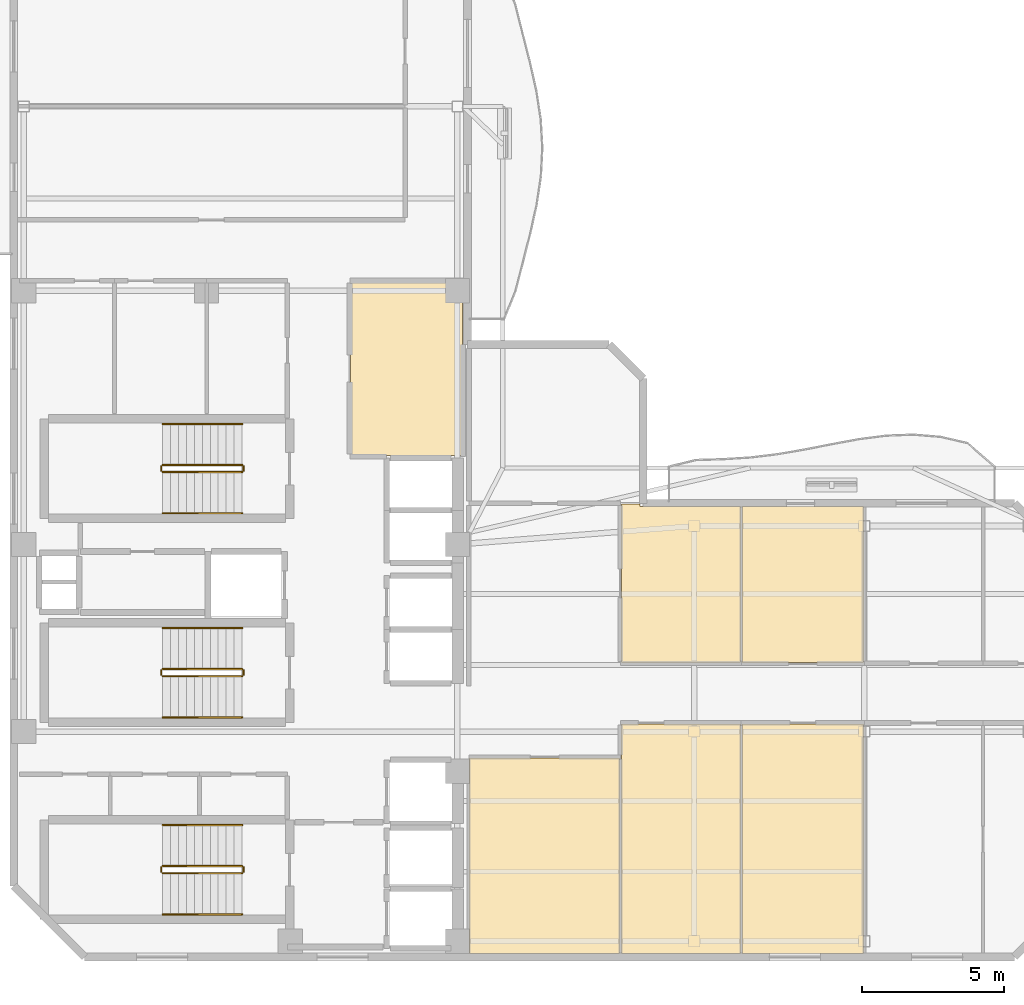
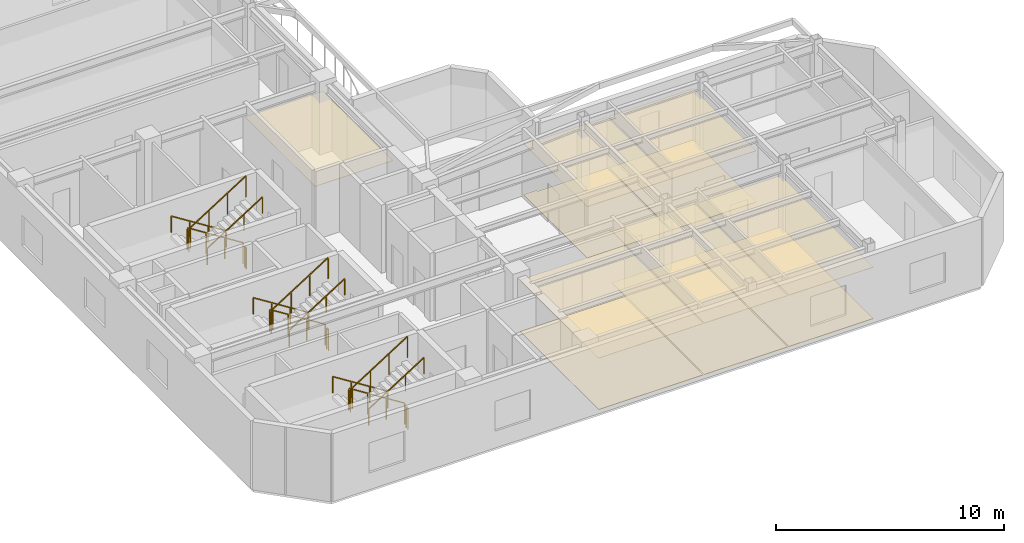
# One storey, part 6 of 7: 18 railings, 11 coverings.
"""IFC4 building model written with IfcOpenShell, lengths in metres."""

import ifcopenshell
import ifcopenshell.guid

model = None  # the IFC model being written
_history = None  # IfcOwnerHistory: only IFC2X3 demands one
_inside = {}  # id of a spatial element -> (the spatial element, [elements in it])
_under = {}  # id of a project, library or spatial element -> (it, [spatial elements below it])
_declared = {}  # id of a project -> (the project, [libraries it declares])
_typed = {}  # id of a type object -> (the type object, [elements of that type])
_made_of = {}  # id of a material, layer set ... -> (it, [elements and type objects made of it])


def new_model(schema):
    """Start an empty IFC model of exactly this schema.

    Asked for "IFC4X3", IfcOpenShell would pick the latest addendum, in which some entities
    have other attributes; the version numbers below select the first issue.
    IFC2X3 requires an IfcOwnerHistory on every rooted entity: one is made here for all.
    """
    global model, _history
    if schema == "IFC4X3":
        model = ifcopenshell.file(schema_version=(4, 3, 0, 0))
    else:
        model = ifcopenshell.file(schema=schema)
    _inside.clear()
    _under.clear()
    _declared.clear()
    _typed.clear()
    _made_of.clear()
    _history = None
    if model.schema == "IFC2X3":
        org = make("IfcOrganization", Name="unknown")
        user = make(
            "IfcPersonAndOrganization",
            ThePerson=make("IfcPerson", FamilyName="unknown"),
            TheOrganization=org,
        )
        app = make(
            "IfcApplication",
            ApplicationDeveloper=org,
            Version="unknown",
            ApplicationFullName="unknown",
            ApplicationIdentifier="unknown",
        )
        _history = make(
            "IfcOwnerHistory",
            OwningUser=user,
            OwningApplication=app,
            ChangeAction="ADDED",
            CreationDate=0,
        )
    return model


def make(cls, **values):
    """One entity of the class cls with the attributes given. An attribute that is None is left unset."""
    return model.create_entity(
        cls, **{name: value for name, value in values.items() if value is not None}
    )


def rooted(cls, **values):
    """An entity with a GlobalId (a new one), such as an element, a storey or a relation."""
    return make(cls, GlobalId=ifcopenshell.guid.new(), OwnerHistory=_history, **values)


def si_unit(unit_type, name, prefix=None):
    """IfcSIUnit, for example si_unit("LENGTHUNIT", "METRE", prefix="MILLI")."""
    return make("IfcSIUnit", UnitType=unit_type, Prefix=prefix, Name=name)


def assignment(units):
    """IfcUnitAssignment: the units of a project."""
    return None if units is None else make("IfcUnitAssignment", Units=units)


def point(xyz):
    """IfcCartesianPoint."""
    return None if xyz is None else make("IfcCartesianPoint", Coordinates=xyz)


def direction(xyz):
    """IfcDirection."""
    return None if xyz is None else make("IfcDirection", DirectionRatios=xyz)


def frame(location, z_axis=None, x_axis=None):
    """IfcAxis2Placement3D, a coordinate frame: its origin and axes. An axis left out is left unset."""
    return make(
        "IfcAxis2Placement3D",
        Location=point(location),
        Axis=direction(z_axis),
        RefDirection=direction(x_axis),
    )


def frame_2d(location, x_axis=None):
    """IfcAxis2Placement2D, a coordinate frame in the plane: its origin and x axis."""
    return make(
        "IfcAxis2Placement2D", Location=point(location), RefDirection=direction(x_axis)
    )


def origin():
    """The frame at (0, 0, 0) with its axes left unset."""
    return frame((0.0, 0.0, 0.0))


def origin_2d():
    """The frame at (0, 0) in the plane with its x axis left unset."""
    return frame_2d((0.0, 0.0))


def place(relative_to, where):
    """IfcLocalPlacement: puts the frame where relative to a parent placement (None: the world)."""
    return make(
        "IfcLocalPlacement", PlacementRelTo=relative_to, RelativePlacement=where
    )


def context(
    kind, dimensions, precision=None, world=None, true_north=None, identifier=None
):
    """IfcGeometricRepresentationContext, for example the 3D "Model" context."""
    return make(
        "IfcGeometricRepresentationContext",
        ContextIdentifier=identifier,
        ContextType=kind,
        CoordinateSpaceDimension=dimensions,
        Precision=precision,
        WorldCoordinateSystem=world,
        TrueNorth=true_north,
    )


def subcontext(parent, identifier, kind, view, scale=None):
    """IfcGeometricRepresentationSubContext, for example "Body" below "Model"."""
    return make(
        "IfcGeometricRepresentationSubContext",
        ContextIdentifier=identifier,
        ContextType=kind,
        ParentContext=parent,
        TargetScale=scale,
        TargetView=view,
    )


def project(units=None, contexts=None):
    """IfcProject with its units and contexts."""
    return rooted(
        "IfcProject",
        Name="project",
        RepresentationContexts=contexts,
        UnitsInContext=assignment(units),
    )


def spatial(cls, under=None, at=None, **own):
    """A site, building, storey or space (cls), placed at a placement, below another one or the project."""
    s = rooted(cls, ObjectPlacement=at, **own)
    if under is not None:
        _under.setdefault(under.id(), (under, []))[1].append(s)
    return s


def polyline(points):
    """IfcPolyline through the points."""
    return make("IfcPolyline", Points=[point(p) for p in points])


def profile(cls, at=None, kind="AREA", **sizes):
    """A parametric profile (cls). Its sizes go by their IFC names, for example OverallWidth=200.0."""
    return make(cls, ProfileType=kind, Position=at, **sizes)


def rectangle(**sizes):
    """IfcRectangleProfileDef."""
    return profile("IfcRectangleProfileDef", **sizes)


def outline(outer, holes=None, kind="AREA"):
    """IfcArbitraryClosedProfileDef: a profile drawn as a closed curve; with holes, ...WithVoids."""
    if holes is None:
        return make("IfcArbitraryClosedProfileDef", ProfileType=kind, OuterCurve=outer)
    return make(
        "IfcArbitraryProfileDefWithVoids",
        ProfileType=kind,
        OuterCurve=outer,
        InnerCurves=holes,
    )


def extrude(swept, where, along, depth):
    """IfcExtrudedAreaSolid: the profile swept, set in the frame where, extruded along a direction by depth."""
    return make(
        "IfcExtrudedAreaSolid",
        SweptArea=swept,
        Position=where,
        ExtrudedDirection=direction(along),
        Depth=depth,
    )


def shape(context_of_items, identifier, shape_type, items):
    """IfcShapeRepresentation: the items that make up one representation, for example the "Body"."""
    return make(
        "IfcShapeRepresentation",
        ContextOfItems=context_of_items,
        RepresentationIdentifier=identifier,
        RepresentationType=shape_type,
        Items=items,
    )


def material(Name=None, Category=None):
    """IfcMaterial."""
    return make("IfcMaterial", Name=Name, Category=Category)


def layer(
    of_material, thickness, ventilated=None, Name=None, Category=None, Priority=None
):
    """IfcMaterialLayer: one layer of a wall or slab, of a material (None: an air gap)."""
    return make(
        "IfcMaterialLayer",
        Material=of_material,
        LayerThickness=thickness,
        IsVentilated=ventilated,
        Name=Name,
        Category=Category,
        Priority=Priority,
    )


def layer_set(layers, Name=None):
    """IfcMaterialLayerSet."""
    return make("IfcMaterialLayerSet", MaterialLayers=layers, LayerSetName=Name)


def made_of(thing, what):
    """Note that an element or type object is made of a material, layer set ...; save() writes the relation."""
    if what is not None:
        _made_of.setdefault(what.id(), (what, []))[1].append(thing)
    return thing


def type_object(cls, material=None, **own):
    """A type object (cls), such as IfcWallType, which elements share."""
    return made_of(rooted(cls, **own), material)


def element(
    cls,
    number,
    at=None,
    inside=None,
    cuts=None,
    type_object=None,
    material=None,
    context=None,
    identifier="Body",
    shape_type=None,
    held_by="IfcProductDefinitionShape",
    body=None,
    shapes=None,
    **own,
):
    """One element of the class cls, such as IfcWall. Its Tag is "e" and its number.

    at: its placement. inside: the storey or other place that contains it. cuts: it is an
    opening in that element (IfcRelVoidsElement). A single representation is given by context,
    identifier, shape_type and body (its items); several are given by shapes. held_by: the class
    of the entity that holds the representations. save() writes the other relations.
    """
    e = rooted(cls, Tag="e%d" % number, ObjectPlacement=at, **own)
    if body is not None:
        shapes = [shape(context, identifier, shape_type, body)]
    if shapes is not None:
        e.Representation = make(held_by, Representations=shapes)
    if inside is not None:
        _inside.setdefault(inside.id(), (inside, []))[1].append(e)
    if cuts is not None:
        rooted(
            "IfcRelVoidsElement", RelatingBuildingElement=cuts, RelatedOpeningElement=e
        )
    if type_object is not None:
        _typed.setdefault(type_object.id(), (type_object, []))[1].append(e)
    return made_of(e, material)


def aggregate(whole, parts):
    """IfcRelAggregates: a whole, such as a stair, and the parts it consists of."""
    return rooted("IfcRelAggregates", RelatingObject=whole, RelatedObjects=parts)


def save(model, path):
    """Write the relations noted so far, then the file.

    IfcRelAggregates (storeys below a building ...), IfcRelContainedInSpatialStructure (elements
    in a storey), IfcRelDefinesByType, IfcRelAssociatesMaterial and IfcRelDeclares: one each for
    every whole, place, type object, material and project.
    """
    for whole, parts in _under.values():
        aggregate(whole, parts)
    for where, things in _inside.values():
        rooted(
            "IfcRelContainedInSpatialStructure",
            RelatedElements=things,
            RelatingStructure=where,
        )
    for kind, things in _typed.values():
        rooted("IfcRelDefinesByType", RelatedObjects=things, RelatingType=kind)
    for what, things in _made_of.values():
        rooted("IfcRelAssociatesMaterial", RelatedObjects=things, RelatingMaterial=what)
    for by, libraries in _declared.values():
        rooted("IfcRelDeclares", RelatingContext=by, RelatedDefinitions=libraries)
    model.write(path)


model = new_model("IFC4")

# Units and contexts
model_context = context("Model", 3, precision=1e-05, world=origin(), true_north=direction((0.0, 1.0)))
body_context = subcontext(model_context, "Body", "Model", "MODEL_VIEW")
ifc_project = project(units=[si_unit("LENGTHUNIT", "METRE"), si_unit("AREAUNIT", "SQUARE_METRE"), si_unit("VOLUMEUNIT", "CUBIC_METRE"), si_unit("PLANEANGLEUNIT", "RADIAN"), si_unit("MASSUNIT", "GRAM", prefix="KILO")], contexts=[model_context])

# Site, building, storey
site_placement = place(None, origin())
site = spatial("IfcSite", under=ifc_project, at=site_placement, CompositionType="ELEMENT")
building_placement = place(site_placement, origin())
building = spatial("IfcBuilding", under=site, at=building_placement, Name="Mawjaban Terraces University", CompositionType="ELEMENT")
storey_placement = place(building_placement, frame((0.0, 0.0, 302.800048828125)))
storey = spatial("IfcBuildingStorey", under=building, at=storey_placement, Name="L74", CompositionType="ELEMENT", Elevation=302.800048828125)

# Coverings
ifc_material_1 = material(Name="Acoustic mineral fibre ceiling tile", Category="masonry")
ifc_layer_1 = layer(ifc_material_1, 0.02001953125)
ifc_layer_set_1 = layer_set([ifc_layer_1], Name="Acoustic mineral fibre ceiling tile")
covering_type_1 = type_object("IfcCoveringType", Name="AcousticMineralCeiling_20", PredefinedType="CEILING", material=ifc_layer_set_1)
covering_1_placement = place(storey_placement, frame((0.0, 0.0, 2.75)))
element("IfcCovering", 1, at=covering_1_placement, inside=storey, type_object=covering_type_1, Name="L74 Graduate Research Collaboration Studio Acoustic Ceiling", PredefinedType="CEILING", context=body_context, shape_type="SweptSolid", body=[
    extrude(outline(polyline([(37.820068359375, 17.679931640625), (37.820068359375, 23.820068359375), (33.8798828125, 23.820068359375), (33.8798828125, 17.679931640625), (37.820068359375, 17.679931640625)])), origin(), (0.0, 0.0, 1.0), 0.02001953125),
])
covering_2_placement = place(storey_placement, frame((0.0, 0.0, 2.75)))
element("IfcCovering", 2, at=covering_2_placement, inside=storey, type_object=covering_type_1, Name="L74 Tutorial Room 1 Acoustic Ceiling", PredefinedType="CEILING", context=body_context, shape_type="SweptSolid", body=[
    extrude(outline(polyline([(38.080078125, 7.02001953125), (38.080078125, 0.114990234375), (43.3701171875, 0.114990234375), (43.3701171875, 7.02001953125), (38.080078125, 7.02001953125)])), origin(), (0.0, 0.0, 1.0), 0.02001953125),
])
covering_3_placement = place(storey_placement, frame((0.0, 0.0, 2.75)))
element("IfcCovering", 3, at=covering_3_placement, inside=storey, type_object=covering_type_1, Name="L74 Conference Room 2 Acoustic Ceiling", PredefinedType="CEILING", context=body_context, shape_type="SweptSolid", body=[
    extrude(outline(polyline([(43.429931640625, 0.114990234375), (47.634033203125, 0.114990234375), (47.634033203125, 8.219970703125), (43.429931640625, 8.219970703125), (43.429931640625, 0.114990234375)])), origin(), (0.0, 0.0, 1.0), 0.02001953125),
])
covering_4_placement = place(storey_placement, frame((0.0, 0.0, 2.75)))
element("IfcCovering", 4, at=covering_4_placement, inside=storey, type_object=covering_type_1, Name="L74 Classroom 3 Acoustic Ceiling", PredefinedType="CEILING", context=body_context, shape_type="SweptSolid", body=[
    extrude(outline(polyline([(47.634033203125, 15.885009765625), (44.0849609375, 15.885009765625), (44.0849609375, 15.969970703125), (43.429931640625, 15.969970703125), (43.429931640625, 10.3798828125), (47.634033203125, 10.3798828125), (47.634033203125, 15.885009765625)])), origin(), (0.0, 0.0, 1.0), 0.02001953125),
])
covering_5_placement = place(storey_placement, frame((0.0, 0.0, 2.75)))
element("IfcCovering", 5, at=covering_5_placement, inside=storey, type_object=covering_type_1, Name="L74 Seminar Room 4 Acoustic Ceiling", PredefinedType="CEILING", context=body_context, shape_type="SweptSolid", body=[
    extrude(outline(polyline([(47.694091796875, 0.114990234375), (51.969970703125, 0.114990234375), (51.969970703125, 8.219970703125), (47.694091796875, 8.219970703125), (47.694091796875, 0.114990234375)])), origin(), (0.0, 0.0, 1.0), 0.02001953125),
])
covering_6_placement = place(storey_placement, frame((0.0, 0.0, 2.75)))
element("IfcCovering", 6, at=covering_6_placement, inside=storey, type_object=covering_type_1, Name="L74 Tutorial Room 5 Acoustic Ceiling", PredefinedType="CEILING", context=body_context, shape_type="SweptSolid", body=[
    extrude(outline(polyline([(51.969970703125, 15.885009765625), (47.694091796875, 15.885009765625), (47.694091796875, 10.3798828125), (51.969970703125, 10.3798828125), (51.969970703125, 15.885009765625)])), origin(), (0.0, 0.0, 1.0), 0.02001953125),
])

# Railings
ifc_material_2 = material(Name="Brushed stainless steel 316", Category="steel")
railing_type_1 = type_object("IfcRailingType", Name="StairWallHandrail_900", PredefinedType="HANDRAIL", material=ifc_material_2)
railing_1_placement = place(storey_placement, frame((30.050048828125, 4.64990234375, 0.17724609375)))
element("IfcRailing", 7, at=railing_1_placement, inside=storey, type_object=railing_type_1, Name="L74 ST-1 stair handrail 1", PredefinedType="HANDRAIL", context=body_context, shape_type="SweptSolid", body=[
    extrude(rectangle(XDim=0.048095703125, YDim=0.048095703125, at=origin_2d()), frame((0.0, 0.0, 0.8759765625), z_axis=(-0.844908973607, 0.0, 0.534910110503), x_axis=(0.0, -1.0, 0.0)), (0.0, 0.0, 1.0), 3.31396484375),
    extrude(rectangle(XDim=0.0419921875, YDim=0.0419921875, at=origin_2d()), origin(), (0.0, 0.0, 1.0), 0.851806640625),
    extrude(rectangle(XDim=0.0419921875, YDim=0.0419921875, at=origin_2d()), frame((-0.933349609375, 0.0, 0.5908203125)), (0.0, 0.0, 1.0), 0.851806640625),
    extrude(rectangle(XDim=0.0419921875, YDim=0.0419921875, at=origin_2d()), frame((-1.86669921875, 0.0, 1.181884765625)), (0.0, 0.0, 1.0), 0.851806640625),
    extrude(rectangle(XDim=0.0419921875, YDim=0.0419921875, at=origin_2d()), frame((-2.800048828125, 0.0, 1.772705078125)), (0.0, 0.0, 1.0), 0.851806640625),
])
railing_2_placement = place(storey_placement, frame((27.25, 1.5, 2.127197265625)))
element("IfcRailing", 8, at=railing_2_placement, inside=storey, type_object=railing_type_1, Name="L74 ST-1 stair handrail 2", PredefinedType="HANDRAIL", context=body_context, shape_type="SweptSolid", body=[
    extrude(rectangle(XDim=0.048095703125, YDim=0.048095703125, at=origin_2d()), frame((0.0, 0.0, 0.8759765625), z_axis=(0.844908973607, 0.0, 0.534910110503), x_axis=(0.0, 1.0, 0.0)), (0.0, 0.0, 1.0), 3.31396484375),
    extrude(rectangle(XDim=0.0419921875, YDim=0.0419921875, at=origin_2d()), origin(), (0.0, 0.0, 1.0), 0.851806640625),
    extrude(rectangle(XDim=0.0419921875, YDim=0.0419921875, at=origin_2d()), frame((0.933349609375, 0.0, 0.5908203125)), (0.0, 0.0, 1.0), 0.851806640625),
    extrude(rectangle(XDim=0.0419921875, YDim=0.0419921875, at=origin_2d()), frame((1.86669921875, 0.0, 1.181884765625)), (0.0, 0.0, 1.0), 0.851806640625),
    extrude(rectangle(XDim=0.0419921875, YDim=0.0419921875, at=origin_2d()), frame((2.800048828125, 0.0, 1.772705078125)), (0.0, 0.0, 1.0), 0.851806640625),
])
railing_3_placement = place(storey_placement, frame((30.050048828125, 18.800048828125, 0.17724609375)))
element("IfcRailing", 9, at=railing_3_placement, inside=storey, type_object=railing_type_1, Name="L74 ST-2 stair handrail 1", PredefinedType="HANDRAIL", context=body_context, shape_type="SweptSolid", body=[
    extrude(rectangle(XDim=0.048095703125, YDim=0.048095703125, at=origin_2d()), frame((0.0, 0.0, 0.8759765625), z_axis=(-0.844908973607, 0.0, 0.534910110503), x_axis=(0.0, -1.0, 0.0)), (0.0, 0.0, 1.0), 3.31396484375),
    extrude(rectangle(XDim=0.0419921875, YDim=0.0419921875, at=origin_2d()), origin(), (0.0, 0.0, 1.0), 0.851806640625),
    extrude(rectangle(XDim=0.0419921875, YDim=0.0419921875, at=origin_2d()), frame((-0.933349609375, 0.0, 0.5908203125)), (0.0, 0.0, 1.0), 0.851806640625),
    extrude(rectangle(XDim=0.0419921875, YDim=0.0419921875, at=origin_2d()), frame((-1.86669921875, 0.0, 1.181884765625)), (0.0, 0.0, 1.0), 0.851806640625),
    extrude(rectangle(XDim=0.0419921875, YDim=0.0419921875, at=origin_2d()), frame((-2.800048828125, 0.0, 1.772705078125)), (0.0, 0.0, 1.0), 0.851806640625),
])
railing_4_placement = place(storey_placement, frame((27.25, 15.64990234375, 2.127197265625)))
element("IfcRailing", 10, at=railing_4_placement, inside=storey, type_object=railing_type_1, Name="L74 ST-2 stair handrail 2", PredefinedType="HANDRAIL", context=body_context, shape_type="SweptSolid", body=[
    extrude(rectangle(XDim=0.048095703125, YDim=0.048095703125, at=origin_2d()), frame((0.0, 0.0, 0.8759765625), z_axis=(0.844908973607, 0.0, 0.534910110503), x_axis=(0.0, 1.0, 0.0)), (0.0, 0.0, 1.0), 3.31396484375),
    extrude(rectangle(XDim=0.0419921875, YDim=0.0419921875, at=origin_2d()), origin(), (0.0, 0.0, 1.0), 0.851806640625),
    extrude(rectangle(XDim=0.0419921875, YDim=0.0419921875, at=origin_2d()), frame((0.933349609375, 0.0, 0.5908203125)), (0.0, 0.0, 1.0), 0.851806640625),
    extrude(rectangle(XDim=0.0419921875, YDim=0.0419921875, at=origin_2d()), frame((1.86669921875, 0.0, 1.181884765625)), (0.0, 0.0, 1.0), 0.851806640625),
    extrude(rectangle(XDim=0.0419921875, YDim=0.0419921875, at=origin_2d()), frame((2.800048828125, 0.0, 1.772705078125)), (0.0, 0.0, 1.0), 0.851806640625),
])
railing_5_placement = place(storey_placement, frame((30.050048828125, 11.60009765625, 0.17724609375)))
element("IfcRailing", 11, at=railing_5_placement, inside=storey, type_object=railing_type_1, Name="L74 ST-3 stair handrail 1", PredefinedType="HANDRAIL", context=body_context, shape_type="SweptSolid", body=[
    extrude(rectangle(XDim=0.048095703125, YDim=0.048095703125, at=origin_2d()), frame((0.0, 0.0, 0.8759765625), z_axis=(-0.844908973607, 0.0, 0.534910110503), x_axis=(0.0, -1.0, 0.0)), (0.0, 0.0, 1.0), 3.31396484375),
    extrude(rectangle(XDim=0.0419921875, YDim=0.0419921875, at=origin_2d()), origin(), (0.0, 0.0, 1.0), 0.851806640625),
    extrude(rectangle(XDim=0.0419921875, YDim=0.0419921875, at=origin_2d()), frame((-0.933349609375, 0.0, 0.5908203125)), (0.0, 0.0, 1.0), 0.851806640625),
    extrude(rectangle(XDim=0.0419921875, YDim=0.0419921875, at=origin_2d()), frame((-1.86669921875, 0.0, 1.181884765625)), (0.0, 0.0, 1.0), 0.851806640625),
    extrude(rectangle(XDim=0.0419921875, YDim=0.0419921875, at=origin_2d()), frame((-2.800048828125, 0.0, 1.772705078125)), (0.0, 0.0, 1.0), 0.851806640625),
])
railing_6_placement = place(storey_placement, frame((27.25, 8.449951171875, 2.127197265625)))
element("IfcRailing", 12, at=railing_6_placement, inside=storey, type_object=railing_type_1, Name="L74 ST-3 stair handrail 2", PredefinedType="HANDRAIL", context=body_context, shape_type="SweptSolid", body=[
    extrude(rectangle(XDim=0.048095703125, YDim=0.048095703125, at=origin_2d()), frame((0.0, 0.0, 0.8759765625), z_axis=(0.844908973607, 0.0, 0.534910110503), x_axis=(0.0, 1.0, 0.0)), (0.0, 0.0, 1.0), 3.31396484375),
    extrude(rectangle(XDim=0.0419921875, YDim=0.0419921875, at=origin_2d()), origin(), (0.0, 0.0, 1.0), 0.851806640625),
    extrude(rectangle(XDim=0.0419921875, YDim=0.0419921875, at=origin_2d()), frame((0.933349609375, 0.0, 0.5908203125)), (0.0, 0.0, 1.0), 0.851806640625),
    extrude(rectangle(XDim=0.0419921875, YDim=0.0419921875, at=origin_2d()), frame((1.86669921875, 0.0, 1.181884765625)), (0.0, 0.0, 1.0), 0.851806640625),
    extrude(rectangle(XDim=0.0419921875, YDim=0.0419921875, at=origin_2d()), frame((2.800048828125, 0.0, 1.772705078125)), (0.0, 0.0, 1.0), 0.851806640625),
])
ifc_material_3 = material(Name="Galvanised painted steel S355", Category="steel")
railing_type_2 = type_object("IfcRailingType", Name="StairWellGuard_1150", PredefinedType="BALUSTRADE", material=ifc_material_3)
railing_7_placement = place(storey_placement, frame((30.050048828125, 3.199951171875, 0.17724609375)))
element("IfcRailing", 13, at=railing_7_placement, inside=storey, type_object=railing_type_2, Name="L74 ST-1 stair guard 1", PredefinedType="BALUSTRADE", context=body_context, shape_type="SweptSolid", body=[
    extrude(rectangle(XDim=0.048095703125, YDim=0.048095703125, at=origin_2d()), frame((0.0, 0.0, 1.1259765625), z_axis=(-0.844908973607, 0.0, 0.534910110503), x_axis=(0.0, -1.0, 0.0)), (0.0, 0.0, 1.0), 3.31396484375),
    extrude(rectangle(XDim=0.0419921875, YDim=0.0419921875, at=origin_2d()), origin(), (0.0, 0.0, 1.0), 1.101806640625),
    extrude(rectangle(XDim=0.0419921875, YDim=0.0419921875, at=origin_2d()), frame((-0.933349609375, 0.0, 0.5908203125)), (0.0, 0.0, 1.0), 1.101806640625),
    extrude(rectangle(XDim=0.0419921875, YDim=0.0419921875, at=origin_2d()), frame((-1.86669921875, 0.0, 1.181884765625)), (0.0, 0.0, 1.0), 1.101806640625),
    extrude(rectangle(XDim=0.0419921875, YDim=0.0419921875, at=origin_2d()), frame((-2.800048828125, 0.0, 1.772705078125)), (0.0, 0.0, 1.0), 1.101806640625),
])
railing_8_placement = place(storey_placement, frame((27.199951171875, 3.14990234375, 1.949951171875)))
element("IfcRailing", 14, at=railing_8_placement, inside=storey, type_object=railing_type_2, Name="L74 ST-1 stair guard 2", PredefinedType="BALUSTRADE", context=body_context, shape_type="SweptSolid", body=[
    extrude(rectangle(XDim=0.048095703125, YDim=0.048095703125, at=origin_2d()), frame((0.0, 0.0, 1.1259765625), z_axis=(0.0, -1.0, 0.0), x_axis=(1.0, 0.0, 0.0)), (0.0, 0.0, 1.0), 0.14990234375),
    extrude(rectangle(XDim=0.0419921875, YDim=0.0419921875, at=origin_2d()), origin(), (0.0, 0.0, 1.0), 1.101806640625),
    extrude(rectangle(XDim=0.0419921875, YDim=0.0419921875, at=origin_2d()), frame((0.0, -0.14990234375, 0.0)), (0.0, 0.0, 1.0), 1.101806640625),
])
railing_9_placement = place(storey_placement, frame((27.25, 2.949951171875, 2.127197265625)))
element("IfcRailing", 15, at=railing_9_placement, inside=storey, type_object=railing_type_2, Name="L74 ST-1 stair guard 3", PredefinedType="BALUSTRADE", context=body_context, shape_type="SweptSolid", body=[
    extrude(rectangle(XDim=0.048095703125, YDim=0.048095703125, at=origin_2d()), frame((0.0, 0.0, 1.1259765625), z_axis=(0.844908973607, 0.0, 0.534910110503), x_axis=(0.0, 1.0, 0.0)), (0.0, 0.0, 1.0), 3.31396484375),
    extrude(rectangle(XDim=0.0419921875, YDim=0.0419921875, at=origin_2d()), origin(), (0.0, 0.0, 1.0), 1.101806640625),
    extrude(rectangle(XDim=0.0419921875, YDim=0.0419921875, at=origin_2d()), frame((0.933349609375, 0.0, 0.5908203125)), (0.0, 0.0, 1.0), 1.101806640625),
    extrude(rectangle(XDim=0.0419921875, YDim=0.0419921875, at=origin_2d()), frame((1.86669921875, 0.0, 1.181884765625)), (0.0, 0.0, 1.0), 1.101806640625),
    extrude(rectangle(XDim=0.0419921875, YDim=0.0419921875, at=origin_2d()), frame((2.800048828125, 0.0, 1.772705078125)), (0.0, 0.0, 1.0), 1.101806640625),
])
railing_10_placement = place(storey_placement, frame((30.10009765625, 3.14990234375, 0.0)))
element("IfcRailing", 16, at=railing_10_placement, inside=storey, type_object=railing_type_2, Name="L74 ST-1 stair guard 4", PredefinedType="BALUSTRADE", context=body_context, shape_type="SweptSolid", body=[
    extrude(rectangle(XDim=0.048095703125, YDim=0.048095703125, at=origin_2d()), frame((0.0, 0.0, 1.1259765625), z_axis=(0.0, -1.0, 0.0), x_axis=(1.0, 0.0, 0.0)), (0.0, 0.0, 1.0), 0.14990234375),
    extrude(rectangle(XDim=0.0419921875, YDim=0.0419921875, at=origin_2d()), origin(), (0.0, 0.0, 1.0), 1.101806640625),
    extrude(rectangle(XDim=0.0419921875, YDim=0.0419921875, at=origin_2d()), frame((0.0, -0.14990234375, 0.0)), (0.0, 0.0, 1.0), 1.101806640625),
])
railing_11_placement = place(storey_placement, frame((30.050048828125, 17.35009765625, 0.17724609375)))
element("IfcRailing", 17, at=railing_11_placement, inside=storey, type_object=railing_type_2, Name="L74 ST-2 stair guard 1", PredefinedType="BALUSTRADE", context=body_context, shape_type="SweptSolid", body=[
    extrude(rectangle(XDim=0.048095703125, YDim=0.048095703125, at=origin_2d()), frame((0.0, 0.0, 1.1259765625), z_axis=(-0.844908973607, 0.0, 0.534910110503), x_axis=(0.0, -1.0, 0.0)), (0.0, 0.0, 1.0), 3.31396484375),
    extrude(rectangle(XDim=0.0419921875, YDim=0.0419921875, at=origin_2d()), origin(), (0.0, 0.0, 1.0), 1.101806640625),
    extrude(rectangle(XDim=0.0419921875, YDim=0.0419921875, at=origin_2d()), frame((-0.933349609375, 0.0, 0.5908203125)), (0.0, 0.0, 1.0), 1.101806640625),
    extrude(rectangle(XDim=0.0419921875, YDim=0.0419921875, at=origin_2d()), frame((-1.86669921875, 0.0, 1.181884765625)), (0.0, 0.0, 1.0), 1.101806640625),
    extrude(rectangle(XDim=0.0419921875, YDim=0.0419921875, at=origin_2d()), frame((-2.800048828125, 0.0, 1.772705078125)), (0.0, 0.0, 1.0), 1.101806640625),
])
railing_12_placement = place(storey_placement, frame((27.199951171875, 17.300048828125, 1.949951171875)))
element("IfcRailing", 18, at=railing_12_placement, inside=storey, type_object=railing_type_2, Name="L74 ST-2 stair guard 2", PredefinedType="BALUSTRADE", context=body_context, shape_type="SweptSolid", body=[
    extrude(rectangle(XDim=0.048095703125, YDim=0.048095703125, at=origin_2d()), frame((0.0, 0.0, 1.1259765625), z_axis=(0.0, -1.0, 0.0), x_axis=(1.0, 0.0, 0.0)), (0.0, 0.0, 1.0), 0.150146484375),
    extrude(rectangle(XDim=0.0419921875, YDim=0.0419921875, at=origin_2d()), origin(), (0.0, 0.0, 1.0), 1.101806640625),
    extrude(rectangle(XDim=0.0419921875, YDim=0.0419921875, at=origin_2d()), frame((0.0, -0.150146484375, 0.0)), (0.0, 0.0, 1.0), 1.101806640625),
])
railing_13_placement = place(storey_placement, frame((27.25, 17.10009765625, 2.127197265625)))
element("IfcRailing", 19, at=railing_13_placement, inside=storey, type_object=railing_type_2, Name="L74 ST-2 stair guard 3", PredefinedType="BALUSTRADE", context=body_context, shape_type="SweptSolid", body=[
    extrude(rectangle(XDim=0.048095703125, YDim=0.048095703125, at=origin_2d()), frame((0.0, 0.0, 1.1259765625), z_axis=(0.844908973607, 0.0, 0.534910110503), x_axis=(0.0, 1.0, 0.0)), (0.0, 0.0, 1.0), 3.31396484375),
    extrude(rectangle(XDim=0.0419921875, YDim=0.0419921875, at=origin_2d()), origin(), (0.0, 0.0, 1.0), 1.101806640625),
    extrude(rectangle(XDim=0.0419921875, YDim=0.0419921875, at=origin_2d()), frame((0.933349609375, 0.0, 0.5908203125)), (0.0, 0.0, 1.0), 1.101806640625),
    extrude(rectangle(XDim=0.0419921875, YDim=0.0419921875, at=origin_2d()), frame((1.86669921875, 0.0, 1.181884765625)), (0.0, 0.0, 1.0), 1.101806640625),
    extrude(rectangle(XDim=0.0419921875, YDim=0.0419921875, at=origin_2d()), frame((2.800048828125, 0.0, 1.772705078125)), (0.0, 0.0, 1.0), 1.101806640625),
])
railing_14_placement = place(storey_placement, frame((30.10009765625, 17.300048828125, 0.0)))
element("IfcRailing", 20, at=railing_14_placement, inside=storey, type_object=railing_type_2, Name="L74 ST-2 stair guard 4", PredefinedType="BALUSTRADE", context=body_context, shape_type="SweptSolid", body=[
    extrude(rectangle(XDim=0.048095703125, YDim=0.048095703125, at=origin_2d()), frame((0.0, 0.0, 1.1259765625), z_axis=(0.0, -1.0, 0.0), x_axis=(1.0, 0.0, 0.0)), (0.0, 0.0, 1.0), 0.150146484375),
    extrude(rectangle(XDim=0.0419921875, YDim=0.0419921875, at=origin_2d()), origin(), (0.0, 0.0, 1.0), 1.101806640625),
    extrude(rectangle(XDim=0.0419921875, YDim=0.0419921875, at=origin_2d()), frame((0.0, -0.150146484375, 0.0)), (0.0, 0.0, 1.0), 1.101806640625),
])
railing_15_placement = place(storey_placement, frame((30.050048828125, 10.14990234375, 0.17724609375)))
element("IfcRailing", 21, at=railing_15_placement, inside=storey, type_object=railing_type_2, Name="L74 ST-3 stair guard 1", PredefinedType="BALUSTRADE", context=body_context, shape_type="SweptSolid", body=[
    extrude(rectangle(XDim=0.048095703125, YDim=0.048095703125, at=origin_2d()), frame((0.0, 0.0, 1.1259765625), z_axis=(-0.844908973607, 0.0, 0.534910110503), x_axis=(0.0, -1.0, 0.0)), (0.0, 0.0, 1.0), 3.31396484375),
    extrude(rectangle(XDim=0.0419921875, YDim=0.0419921875, at=origin_2d()), origin(), (0.0, 0.0, 1.0), 1.101806640625),
    extrude(rectangle(XDim=0.0419921875, YDim=0.0419921875, at=origin_2d()), frame((-0.933349609375, 0.0, 0.5908203125)), (0.0, 0.0, 1.0), 1.101806640625),
    extrude(rectangle(XDim=0.0419921875, YDim=0.0419921875, at=origin_2d()), frame((-1.86669921875, 0.0, 1.181884765625)), (0.0, 0.0, 1.0), 1.101806640625),
    extrude(rectangle(XDim=0.0419921875, YDim=0.0419921875, at=origin_2d()), frame((-2.800048828125, 0.0, 1.772705078125)), (0.0, 0.0, 1.0), 1.101806640625),
])
railing_16_placement = place(storey_placement, frame((27.199951171875, 10.10009765625, 1.949951171875)))
element("IfcRailing", 22, at=railing_16_placement, inside=storey, type_object=railing_type_2, Name="L74 ST-3 stair guard 2", PredefinedType="BALUSTRADE", context=body_context, shape_type="SweptSolid", body=[
    extrude(rectangle(XDim=0.048095703125, YDim=0.048095703125, at=origin_2d()), frame((0.0, 0.0, 1.1259765625), z_axis=(0.0, -1.0, 0.0), x_axis=(1.0, 0.0, 0.0)), (0.0, 0.0, 1.0), 0.150146484375),
    extrude(rectangle(XDim=0.0419921875, YDim=0.0419921875, at=origin_2d()), origin(), (0.0, 0.0, 1.0), 1.101806640625),
    extrude(rectangle(XDim=0.0419921875, YDim=0.0419921875, at=origin_2d()), frame((0.0, -0.150146484375, 0.0)), (0.0, 0.0, 1.0), 1.101806640625),
])
railing_17_placement = place(storey_placement, frame((27.25, 9.89990234375, 2.127197265625)))
element("IfcRailing", 23, at=railing_17_placement, inside=storey, type_object=railing_type_2, Name="L74 ST-3 stair guard 3", PredefinedType="BALUSTRADE", context=body_context, shape_type="SweptSolid", body=[
    extrude(rectangle(XDim=0.048095703125, YDim=0.048095703125, at=origin_2d()), frame((0.0, 0.0, 1.1259765625), z_axis=(0.844908973607, 0.0, 0.534910110503), x_axis=(0.0, 1.0, 0.0)), (0.0, 0.0, 1.0), 3.31396484375),
    extrude(rectangle(XDim=0.0419921875, YDim=0.0419921875, at=origin_2d()), origin(), (0.0, 0.0, 1.0), 1.101806640625),
    extrude(rectangle(XDim=0.0419921875, YDim=0.0419921875, at=origin_2d()), frame((0.933349609375, 0.0, 0.5908203125)), (0.0, 0.0, 1.0), 1.101806640625),
    extrude(rectangle(XDim=0.0419921875, YDim=0.0419921875, at=origin_2d()), frame((1.86669921875, 0.0, 1.181884765625)), (0.0, 0.0, 1.0), 1.101806640625),
    extrude(rectangle(XDim=0.0419921875, YDim=0.0419921875, at=origin_2d()), frame((2.800048828125, 0.0, 1.772705078125)), (0.0, 0.0, 1.0), 1.101806640625),
])
railing_18_placement = place(storey_placement, frame((30.10009765625, 10.10009765625, 0.0)))
element("IfcRailing", 24, at=railing_18_placement, inside=storey, type_object=railing_type_2, Name="L74 ST-3 stair guard 4", PredefinedType="BALUSTRADE", context=body_context, shape_type="SweptSolid", body=[
    extrude(rectangle(XDim=0.048095703125, YDim=0.048095703125, at=origin_2d()), frame((0.0, 0.0, 1.1259765625), z_axis=(0.0, -1.0, 0.0), x_axis=(1.0, 0.0, 0.0)), (0.0, 0.0, 1.0), 0.150146484375),
    extrude(rectangle(XDim=0.0419921875, YDim=0.0419921875, at=origin_2d()), origin(), (0.0, 0.0, 1.0), 1.101806640625),
    extrude(rectangle(XDim=0.0419921875, YDim=0.0419921875, at=origin_2d()), frame((0.0, -0.150146484375, 0.0)), (0.0, 0.0, 1.0), 1.101806640625),
])

# Coverings
ifc_material_4 = material(Name="Polished Hijazi granite terrazzo flooring", Category="masonry")
ifc_layer_2 = layer(ifc_material_4, 0.02490234375)
ifc_layer_set_2 = layer_set([ifc_layer_2], Name="Polished Hijazi granite terrazzo flooring")
covering_type_2 = type_object("IfcCoveringType", Name="TerrazzoConcourseFlooring_25", PredefinedType="FLOORING", material=ifc_layer_set_2)
covering_7_placement = place(storey_placement, origin())
element("IfcCovering", 25, at=covering_7_placement, inside=storey, type_object=covering_type_2, Name="L74 Tutorial Room 1 Terrazzo Flooring", PredefinedType="FLOORING", context=body_context, shape_type="SweptSolid", body=[
    extrude(outline(polyline([(38.080078125, 7.02001953125), (38.080078125, 0.114990234375), (43.3701171875, 0.114990234375), (43.3701171875, 7.02001953125), (38.080078125, 7.02001953125)])), origin(), (0.0, 0.0, 1.0), 0.02490234375),
])
covering_8_placement = place(storey_placement, origin())
element("IfcCovering", 26, at=covering_8_placement, inside=storey, type_object=covering_type_2, Name="L74 Conference Room 2 Terrazzo Flooring", PredefinedType="FLOORING", context=body_context, shape_type="SweptSolid", body=[
    extrude(outline(polyline([(43.429931640625, 0.114990234375), (47.634033203125, 0.114990234375), (47.634033203125, 8.219970703125), (43.429931640625, 8.219970703125), (43.429931640625, 0.114990234375)])), origin(), (0.0, 0.0, 1.0), 0.02490234375),
])
covering_9_placement = place(storey_placement, origin())
element("IfcCovering", 27, at=covering_9_placement, inside=storey, type_object=covering_type_2, Name="L74 Classroom 3 Terrazzo Flooring", PredefinedType="FLOORING", context=body_context, shape_type="SweptSolid", body=[
    extrude(outline(polyline([(47.634033203125, 15.885009765625), (44.0849609375, 15.885009765625), (44.0849609375, 15.969970703125), (43.429931640625, 15.969970703125), (43.429931640625, 10.3798828125), (47.634033203125, 10.3798828125), (47.634033203125, 15.885009765625)])), origin(), (0.0, 0.0, 1.0), 0.02490234375),
])
covering_10_placement = place(storey_placement, origin())
element("IfcCovering", 28, at=covering_10_placement, inside=storey, type_object=covering_type_2, Name="L74 Seminar Room 4 Terrazzo Flooring", PredefinedType="FLOORING", context=body_context, shape_type="SweptSolid", body=[
    extrude(outline(polyline([(47.694091796875, 0.114990234375), (51.969970703125, 0.114990234375), (51.969970703125, 8.219970703125), (47.694091796875, 8.219970703125), (47.694091796875, 0.114990234375)])), origin(), (0.0, 0.0, 1.0), 0.02490234375),
])
covering_11_placement = place(storey_placement, origin())
element("IfcCovering", 29, at=covering_11_placement, inside=storey, type_object=covering_type_2, Name="L74 Tutorial Room 5 Terrazzo Flooring", PredefinedType="FLOORING", context=body_context, shape_type="SweptSolid", body=[
    extrude(outline(polyline([(51.969970703125, 15.885009765625), (47.694091796875, 15.885009765625), (47.694091796875, 10.3798828125), (51.969970703125, 10.3798828125), (51.969970703125, 15.885009765625)])), origin(), (0.0, 0.0, 1.0), 0.02490234375),
])

save(model, "model.ifc")
